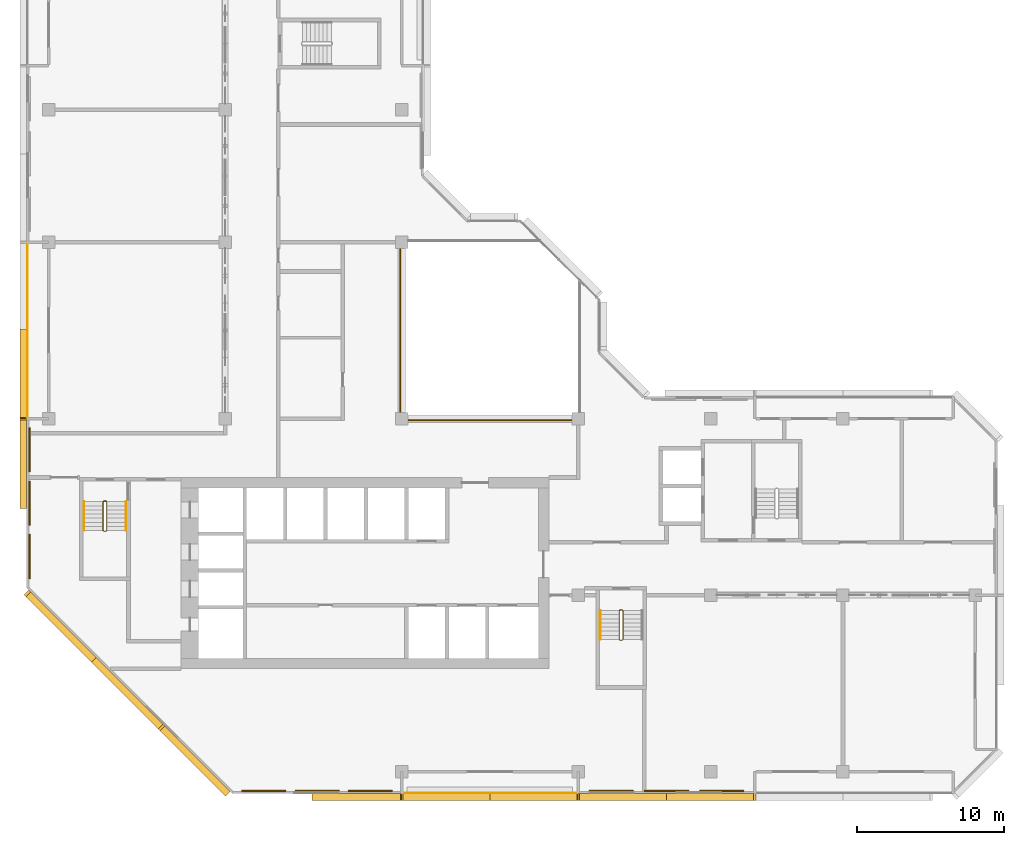
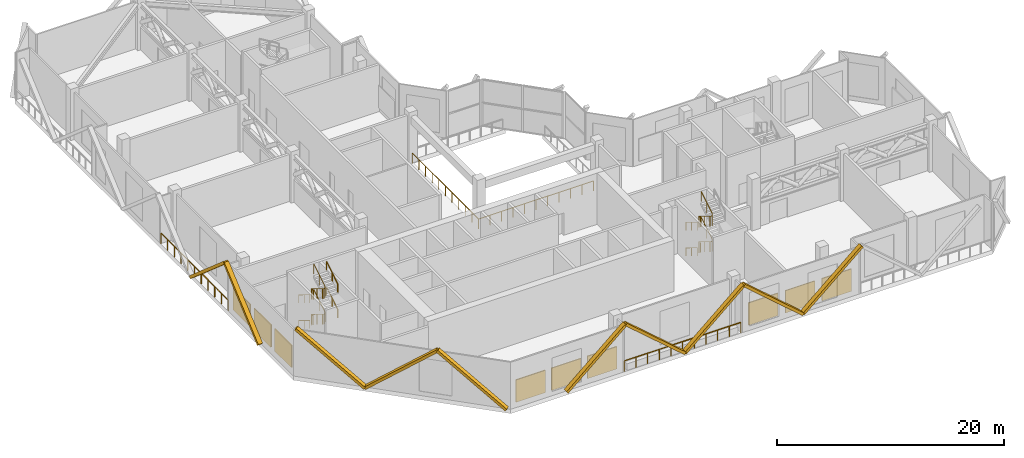
# One storey, part 12 of 14: 11 railings, 10 coverings, 9 shading devices.
"""IFC4 building model written with IfcOpenShell, lengths in metres."""

import ifcopenshell
import ifcopenshell.guid

model = None  # the IFC model being written
_history = None  # IfcOwnerHistory: only IFC2X3 demands one
_inside = {}  # id of a spatial element -> (the spatial element, [elements in it])
_under = {}  # id of a project, library or spatial element -> (it, [spatial elements below it])
_declared = {}  # id of a project -> (the project, [libraries it declares])
_typed = {}  # id of a type object -> (the type object, [elements of that type])
_made_of = {}  # id of a material, layer set ... -> (it, [elements and type objects made of it])


def new_model(schema):
    """Start an empty IFC model of exactly this schema.

    Asked for "IFC4X3", IfcOpenShell would pick the latest addendum, in which some entities
    have other attributes; the version numbers below select the first issue.
    IFC2X3 requires an IfcOwnerHistory on every rooted entity: one is made here for all.
    """
    global model, _history
    if schema == "IFC4X3":
        model = ifcopenshell.file(schema_version=(4, 3, 0, 0))
    else:
        model = ifcopenshell.file(schema=schema)
    _inside.clear()
    _under.clear()
    _declared.clear()
    _typed.clear()
    _made_of.clear()
    _history = None
    if model.schema == "IFC2X3":
        org = make("IfcOrganization", Name="unknown")
        user = make(
            "IfcPersonAndOrganization",
            ThePerson=make("IfcPerson", FamilyName="unknown"),
            TheOrganization=org,
        )
        app = make(
            "IfcApplication",
            ApplicationDeveloper=org,
            Version="unknown",
            ApplicationFullName="unknown",
            ApplicationIdentifier="unknown",
        )
        _history = make(
            "IfcOwnerHistory",
            OwningUser=user,
            OwningApplication=app,
            ChangeAction="ADDED",
            CreationDate=0,
        )
    return model


def make(cls, **values):
    """One entity of the class cls with the attributes given. An attribute that is None is left unset."""
    return model.create_entity(
        cls, **{name: value for name, value in values.items() if value is not None}
    )


def rooted(cls, **values):
    """An entity with a GlobalId (a new one), such as an element, a storey or a relation."""
    return make(cls, GlobalId=ifcopenshell.guid.new(), OwnerHistory=_history, **values)


def si_unit(unit_type, name, prefix=None):
    """IfcSIUnit, for example si_unit("LENGTHUNIT", "METRE", prefix="MILLI")."""
    return make("IfcSIUnit", UnitType=unit_type, Prefix=prefix, Name=name)


def assignment(units):
    """IfcUnitAssignment: the units of a project."""
    return None if units is None else make("IfcUnitAssignment", Units=units)


def point(xyz):
    """IfcCartesianPoint."""
    return None if xyz is None else make("IfcCartesianPoint", Coordinates=xyz)


def direction(xyz):
    """IfcDirection."""
    return None if xyz is None else make("IfcDirection", DirectionRatios=xyz)


def frame(location, z_axis=None, x_axis=None):
    """IfcAxis2Placement3D, a coordinate frame: its origin and axes. An axis left out is left unset."""
    return make(
        "IfcAxis2Placement3D",
        Location=point(location),
        Axis=direction(z_axis),
        RefDirection=direction(x_axis),
    )


def frame_2d(location, x_axis=None):
    """IfcAxis2Placement2D, a coordinate frame in the plane: its origin and x axis."""
    return make(
        "IfcAxis2Placement2D", Location=point(location), RefDirection=direction(x_axis)
    )


def origin():
    """The frame at (0, 0, 0) with its axes left unset."""
    return frame((0.0, 0.0, 0.0))


def origin_2d():
    """The frame at (0, 0) in the plane with its x axis left unset."""
    return frame_2d((0.0, 0.0))


def place(relative_to, where):
    """IfcLocalPlacement: puts the frame where relative to a parent placement (None: the world)."""
    return make(
        "IfcLocalPlacement", PlacementRelTo=relative_to, RelativePlacement=where
    )


def context(
    kind, dimensions, precision=None, world=None, true_north=None, identifier=None
):
    """IfcGeometricRepresentationContext, for example the 3D "Model" context."""
    return make(
        "IfcGeometricRepresentationContext",
        ContextIdentifier=identifier,
        ContextType=kind,
        CoordinateSpaceDimension=dimensions,
        Precision=precision,
        WorldCoordinateSystem=world,
        TrueNorth=true_north,
    )


def subcontext(parent, identifier, kind, view, scale=None):
    """IfcGeometricRepresentationSubContext, for example "Body" below "Model"."""
    return make(
        "IfcGeometricRepresentationSubContext",
        ContextIdentifier=identifier,
        ContextType=kind,
        ParentContext=parent,
        TargetScale=scale,
        TargetView=view,
    )


def project(units=None, contexts=None):
    """IfcProject with its units and contexts."""
    return rooted(
        "IfcProject",
        Name="project",
        RepresentationContexts=contexts,
        UnitsInContext=assignment(units),
    )


def spatial(cls, under=None, at=None, **own):
    """A site, building, storey or space (cls), placed at a placement, below another one or the project."""
    s = rooted(cls, ObjectPlacement=at, **own)
    if under is not None:
        _under.setdefault(under.id(), (under, []))[1].append(s)
    return s


def profile(cls, at=None, kind="AREA", **sizes):
    """A parametric profile (cls). Its sizes go by their IFC names, for example OverallWidth=200.0."""
    return make(cls, ProfileType=kind, Position=at, **sizes)


def rectangle(**sizes):
    """IfcRectangleProfileDef."""
    return profile("IfcRectangleProfileDef", **sizes)


def extrude(swept, where, along, depth):
    """IfcExtrudedAreaSolid: the profile swept, set in the frame where, extruded along a direction by depth."""
    return make(
        "IfcExtrudedAreaSolid",
        SweptArea=swept,
        Position=where,
        ExtrudedDirection=direction(along),
        Depth=depth,
    )


def shape(context_of_items, identifier, shape_type, items):
    """IfcShapeRepresentation: the items that make up one representation, for example the "Body"."""
    return make(
        "IfcShapeRepresentation",
        ContextOfItems=context_of_items,
        RepresentationIdentifier=identifier,
        RepresentationType=shape_type,
        Items=items,
    )


def material(Name=None, Category=None):
    """IfcMaterial."""
    return make("IfcMaterial", Name=Name, Category=Category)


def material_profile(
    of_material, cross_section, Name=None, Category=None, Priority=None
):
    """IfcMaterialProfile: a cross section and its material."""
    return make(
        "IfcMaterialProfile",
        Name=Name,
        Material=of_material,
        Profile=cross_section,
        Priority=Priority,
        Category=Category,
    )


def profile_set(profiles, Name=None, composite=None):
    """IfcMaterialProfileSet."""
    return make(
        "IfcMaterialProfileSet",
        Name=Name,
        MaterialProfiles=profiles,
        CompositeProfile=composite,
    )


def made_of(thing, what):
    """Note that an element or type object is made of a material, layer set ...; save() writes the relation."""
    if what is not None:
        _made_of.setdefault(what.id(), (what, []))[1].append(thing)
    return thing


def type_object(cls, material=None, **own):
    """A type object (cls), such as IfcWallType, which elements share."""
    return made_of(rooted(cls, **own), material)


def element(
    cls,
    number,
    at=None,
    inside=None,
    cuts=None,
    type_object=None,
    material=None,
    context=None,
    identifier="Body",
    shape_type=None,
    held_by="IfcProductDefinitionShape",
    body=None,
    shapes=None,
    **own,
):
    """One element of the class cls, such as IfcWall. Its Tag is "e" and its number.

    at: its placement. inside: the storey or other place that contains it. cuts: it is an
    opening in that element (IfcRelVoidsElement). A single representation is given by context,
    identifier, shape_type and body (its items); several are given by shapes. held_by: the class
    of the entity that holds the representations. save() writes the other relations.
    """
    e = rooted(cls, Tag="e%d" % number, ObjectPlacement=at, **own)
    if body is not None:
        shapes = [shape(context, identifier, shape_type, body)]
    if shapes is not None:
        e.Representation = make(held_by, Representations=shapes)
    if inside is not None:
        _inside.setdefault(inside.id(), (inside, []))[1].append(e)
    if cuts is not None:
        rooted(
            "IfcRelVoidsElement", RelatingBuildingElement=cuts, RelatedOpeningElement=e
        )
    if type_object is not None:
        _typed.setdefault(type_object.id(), (type_object, []))[1].append(e)
    return made_of(e, material)


def aggregate(whole, parts):
    """IfcRelAggregates: a whole, such as a stair, and the parts it consists of."""
    return rooted("IfcRelAggregates", RelatingObject=whole, RelatedObjects=parts)


def save(model, path):
    """Write the relations noted so far, then the file.

    IfcRelAggregates (storeys below a building ...), IfcRelContainedInSpatialStructure (elements
    in a storey), IfcRelDefinesByType, IfcRelAssociatesMaterial and IfcRelDeclares: one each for
    every whole, place, type object, material and project.
    """
    for whole, parts in _under.values():
        aggregate(whole, parts)
    for where, things in _inside.values():
        rooted(
            "IfcRelContainedInSpatialStructure",
            RelatedElements=things,
            RelatingStructure=where,
        )
    for kind, things in _typed.values():
        rooted("IfcRelDefinesByType", RelatedObjects=things, RelatingType=kind)
    for what, things in _made_of.values():
        rooted("IfcRelAssociatesMaterial", RelatedObjects=things, RelatingMaterial=what)
    for by, libraries in _declared.values():
        rooted("IfcRelDeclares", RelatingContext=by, RelatedDefinitions=libraries)
    model.write(path)


model = new_model("IFC4")

# Units and contexts
model_context = context("Model", 3, precision=1e-05, world=origin(), true_north=direction((0.0, 1.0)))
body_context = subcontext(model_context, "Body", "Model", "MODEL_VIEW")
ifc_project = project(units=[si_unit("LENGTHUNIT", "METRE"), si_unit("AREAUNIT", "SQUARE_METRE"), si_unit("VOLUMEUNIT", "CUBIC_METRE"), si_unit("PLANEANGLEUNIT", "RADIAN"), si_unit("MASSUNIT", "GRAM", prefix="KILO")], contexts=[model_context])

# Site, building, storey
site_placement = place(None, origin())
site = spatial("IfcSite", under=ifc_project, at=site_placement, CompositionType="ELEMENT")
building_placement = place(site_placement, origin())
building = spatial("IfcBuilding", under=site, at=building_placement, Name="Chenar Terraces", CompositionType="ELEMENT")
storey_placement = place(building_placement, frame((0.0, 0.0, 256.64990234375)))
storey = spatial("IfcBuildingStorey", under=building, at=storey_placement, Name="L61", CompositionType="ELEMENT", Elevation=256.64990234375)

# Railings
ifc_material_1 = material(Name="Powder-coated steel", Category="steel")
railing_type_1 = type_object("IfcRailingType", Name="Guard 1100 steel rail with glass infill", PredefinedType="GUARDRAIL", material=ifc_material_1)
railing_1_placement = place(storey_placement, frame((23.89990234375, 35.574951171875, 0.0)))
element("IfcRailing", 1, at=railing_1_placement, inside=storey, type_object=railing_type_1, Name="Guard L61-1", PredefinedType="GUARDRAIL", context=body_context, shape_type="SweptSolid", body=[
    extrude(rectangle(XDim=0.06005859375, YDim=0.06005859375, at=origin_2d()), frame((0.0, 0.0, 1.070068359375), z_axis=(0.0, -1.0, 0.0), x_axis=(1.0, 0.0, 0.0)), (0.0, 0.0, 1.0), 11.675048828125),
    extrude(rectangle(XDim=0.06005859375, YDim=0.06005859375, at=origin_2d()), frame((0.0, -11.675048828125, 1.070068359375), z_axis=(1.0, 0.0, 0.0), x_axis=(0.0, 1.0, 0.0)), (0.0, 0.0, 1.0), 11.675048828125),
    extrude(rectangle(XDim=0.050048828125, YDim=0.050048828125, at=origin_2d()), origin(), (0.0, 0.0, 1.0), 1.0400390625),
    extrude(rectangle(XDim=0.050048828125, YDim=0.050048828125, at=origin_2d()), frame((0.0, -1.16748046875, 0.0)), (0.0, 0.0, 1.0), 1.0400390625),
    extrude(rectangle(XDim=0.050048828125, YDim=0.050048828125, at=origin_2d()), frame((0.0, -2.3349609375, 0.0)), (0.0, 0.0, 1.0), 1.0400390625),
    extrude(rectangle(XDim=0.050048828125, YDim=0.050048828125, at=origin_2d()), frame((0.0, -3.50244140625, 0.0)), (0.0, 0.0, 1.0), 1.0400390625),
    extrude(rectangle(XDim=0.050048828125, YDim=0.050048828125, at=origin_2d()), frame((0.0, -4.669921875, 0.0)), (0.0, 0.0, 1.0), 1.0400390625),
    extrude(rectangle(XDim=0.050048828125, YDim=0.050048828125, at=origin_2d()), frame((0.0, -5.83740234375, 0.0)), (0.0, 0.0, 1.0), 1.0400390625),
    extrude(rectangle(XDim=0.050048828125, YDim=0.050048828125, at=origin_2d()), frame((0.0, -7.005126953125, 0.0)), (0.0, 0.0, 1.0), 1.0400390625),
    extrude(rectangle(XDim=0.050048828125, YDim=0.050048828125, at=origin_2d()), frame((0.0, -8.172607421875, 0.0)), (0.0, 0.0, 1.0), 1.0400390625),
    extrude(rectangle(XDim=0.050048828125, YDim=0.050048828125, at=origin_2d()), frame((0.0, -9.340087890625, 0.0)), (0.0, 0.0, 1.0), 1.0400390625),
    extrude(rectangle(XDim=0.050048828125, YDim=0.050048828125, at=origin_2d()), frame((0.0, -10.507568359375, 0.0)), (0.0, 0.0, 1.0), 1.0400390625),
    extrude(rectangle(XDim=0.050048828125, YDim=0.050048828125, at=origin_2d()), frame((0.0, -11.675048828125, 0.0)), (0.0, 0.0, 1.0), 1.0400390625),
    extrude(rectangle(XDim=0.050048828125, YDim=0.050048828125, at=origin_2d()), frame((1.16748046875, -11.675048828125, 0.0)), (0.0, 0.0, 1.0), 1.0400390625),
    extrude(rectangle(XDim=0.050048828125, YDim=0.050048828125, at=origin_2d()), frame((2.3349609375, -11.675048828125, 0.0)), (0.0, 0.0, 1.0), 1.0400390625),
    extrude(rectangle(XDim=0.050048828125, YDim=0.050048828125, at=origin_2d()), frame((3.50244140625, -11.675048828125, 0.0)), (0.0, 0.0, 1.0), 1.0400390625),
    extrude(rectangle(XDim=0.050048828125, YDim=0.050048828125, at=origin_2d()), frame((4.669921875, -11.675048828125, 0.0)), (0.0, 0.0, 1.0), 1.0400390625),
    extrude(rectangle(XDim=0.050048828125, YDim=0.050048828125, at=origin_2d()), frame((5.83740234375, -11.675048828125, 0.0)), (0.0, 0.0, 1.0), 1.0400390625),
    extrude(rectangle(XDim=0.050048828125, YDim=0.050048828125, at=origin_2d()), frame((7.005126953125, -11.675048828125, 0.0)), (0.0, 0.0, 1.0), 1.0400390625),
    extrude(rectangle(XDim=0.050048828125, YDim=0.050048828125, at=origin_2d()), frame((8.172607421875, -11.675048828125, 0.0)), (0.0, 0.0, 1.0), 1.0400390625),
    extrude(rectangle(XDim=0.050048828125, YDim=0.050048828125, at=origin_2d()), frame((9.340087890625, -11.675048828125, 0.0)), (0.0, 0.0, 1.0), 1.0400390625),
    extrude(rectangle(XDim=0.050048828125, YDim=0.050048828125, at=origin_2d()), frame((10.507568359375, -11.675048828125, 0.0)), (0.0, 0.0, 1.0), 1.0400390625),
    extrude(rectangle(XDim=0.050048828125, YDim=0.050048828125, at=origin_2d()), frame((11.675048828125, -11.675048828125, 0.0)), (0.0, 0.0, 1.0), 1.0400390625),
])
ifc_material_2 = material(Name="Stainless steel and glass", Category="steel")
railing_type_2 = type_object("IfcRailingType", Name="Loggia guard 1150", PredefinedType="GUARDRAIL", material=ifc_material_2)
railing_2_placement = place(storey_placement, frame((24.074951171875, -1.449951171875, 0.0)))
element("IfcRailing", 2, at=railing_2_placement, inside=storey, type_object=railing_type_2, Name="Loggia guard", PredefinedType="GUARDRAIL", context=body_context, shape_type="SweptSolid", body=[
    extrude(rectangle(XDim=0.048095703125, YDim=0.048095703125, at=origin_2d()), frame((0.0, 0.0, 1.1259765625), z_axis=(1.0, 0.0, 0.0), x_axis=(0.0, 1.0, 0.0)), (0.0, 0.0, 1.0), 11.85009765625),
    extrude(rectangle(XDim=0.0419921875, YDim=0.0419921875, at=origin_2d()), origin(), (0.0, 0.0, 1.0), 1.101806640625),
    extrude(rectangle(XDim=0.0419921875, YDim=0.0419921875, at=origin_2d()), frame((1.18505859375, 0.0, 0.0)), (0.0, 0.0, 1.0), 1.101806640625),
    extrude(rectangle(XDim=0.0419921875, YDim=0.0419921875, at=origin_2d()), frame((2.3701171875, 0.0, 0.0)), (0.0, 0.0, 1.0), 1.101806640625),
    extrude(rectangle(XDim=0.0419921875, YDim=0.0419921875, at=origin_2d()), frame((3.554931640625, 0.0, 0.0)), (0.0, 0.0, 1.0), 1.101806640625),
    extrude(rectangle(XDim=0.0419921875, YDim=0.0419921875, at=origin_2d()), frame((4.739990234375, 0.0, 0.0)), (0.0, 0.0, 1.0), 1.101806640625),
    extrude(rectangle(XDim=0.0419921875, YDim=0.0419921875, at=origin_2d()), frame((5.925048828125, 0.0, 0.0)), (0.0, 0.0, 1.0), 1.101806640625),
    extrude(rectangle(XDim=0.0419921875, YDim=0.0419921875, at=origin_2d()), frame((7.110107421875, 0.0, 0.0)), (0.0, 0.0, 1.0), 1.101806640625),
    extrude(rectangle(XDim=0.0419921875, YDim=0.0419921875, at=origin_2d()), frame((8.295166015625, 0.0, 0.0)), (0.0, 0.0, 1.0), 1.101806640625),
    extrude(rectangle(XDim=0.0419921875, YDim=0.0419921875, at=origin_2d()), frame((9.47998046875, 0.0, 0.0)), (0.0, 0.0, 1.0), 1.101806640625),
    extrude(rectangle(XDim=0.0419921875, YDim=0.0419921875, at=origin_2d()), frame((10.6650390625, 0.0, 0.0)), (0.0, 0.0, 1.0), 1.101806640625),
    extrude(rectangle(XDim=0.0419921875, YDim=0.0419921875, at=origin_2d()), frame((11.85009765625, 0.0, 0.0)), (0.0, 0.0, 1.0), 1.101806640625),
])
railing_3_placement = place(storey_placement, frame((-1.449951171875, 35.925048828125, 0.0)))
element("IfcRailing", 3, at=railing_3_placement, inside=storey, type_object=railing_type_2, Name="Loggia guard", PredefinedType="GUARDRAIL", context=body_context, shape_type="SweptSolid", body=[
    extrude(rectangle(XDim=0.048095703125, YDim=0.048095703125, at=origin_2d()), frame((0.0, 0.0, 1.1259765625), z_axis=(0.0, -1.0, 0.0), x_axis=(1.0, 0.0, 0.0)), (0.0, 0.0, 1.0), 11.85009765625),
    extrude(rectangle(XDim=0.0419921875, YDim=0.0419921875, at=origin_2d()), origin(), (0.0, 0.0, 1.0), 1.101806640625),
    extrude(rectangle(XDim=0.0419921875, YDim=0.0419921875, at=origin_2d()), frame((0.0, -1.18505859375, 0.0)), (0.0, 0.0, 1.0), 1.101806640625),
    extrude(rectangle(XDim=0.0419921875, YDim=0.0419921875, at=origin_2d()), frame((0.0, -2.3701171875, 0.0)), (0.0, 0.0, 1.0), 1.101806640625),
    extrude(rectangle(XDim=0.0419921875, YDim=0.0419921875, at=origin_2d()), frame((0.0, -3.554931640625, 0.0)), (0.0, 0.0, 1.0), 1.101806640625),
    extrude(rectangle(XDim=0.0419921875, YDim=0.0419921875, at=origin_2d()), frame((0.0, -4.739990234375, 0.0)), (0.0, 0.0, 1.0), 1.101806640625),
    extrude(rectangle(XDim=0.0419921875, YDim=0.0419921875, at=origin_2d()), frame((0.0, -5.925048828125, 0.0)), (0.0, 0.0, 1.0), 1.101806640625),
    extrude(rectangle(XDim=0.0419921875, YDim=0.0419921875, at=origin_2d()), frame((0.0, -7.110107421875, 0.0)), (0.0, 0.0, 1.0), 1.101806640625),
    extrude(rectangle(XDim=0.0419921875, YDim=0.0419921875, at=origin_2d()), frame((0.0, -8.295166015625, 0.0)), (0.0, 0.0, 1.0), 1.101806640625),
    extrude(rectangle(XDim=0.0419921875, YDim=0.0419921875, at=origin_2d()), frame((0.0, -9.47998046875, 0.0)), (0.0, 0.0, 1.0), 1.101806640625),
    extrude(rectangle(XDim=0.0419921875, YDim=0.0419921875, at=origin_2d()), frame((0.0, -10.6650390625, 0.0)), (0.0, 0.0, 1.0), 1.101806640625),
    extrude(rectangle(XDim=0.0419921875, YDim=0.0419921875, at=origin_2d()), frame((0.0, -11.85009765625, 0.0)), (0.0, 0.0, 1.0), 1.101806640625),
])

# Shading devices
ifc_material_3 = material(Name="Powder-coated steel", Category="steel")
shading_device_type = type_object("IfcShadingDeviceType", Name="Sand-proof louvre bank 3000 x 2400", PredefinedType="USERDEFINED", material=ifc_material_3)
for number, where, z_axis, x_axis, name in (
    (4, (14.625, -1.300048828125, 0.4501953125), (0.0, 0.0, 1.0), (1.0, 0.0, 0.0), "Sand-proof louvre bank"),
    (5, (18.25, -1.300048828125, 0.4501953125), (0.0, 0.0, 1.0), (1.0, 0.0, 0.0), "Sand-proof louvre bank"),
    (6, (21.875, -1.300048828125, 0.4501953125), (0.0, 0.0, 1.0), (1.0, 0.0, 0.0), "Sand-proof louvre bank"),
    (7, (38.25, -1.300048828125, 0.4501953125), (0.0, 0.0, 1.0), (1.0, 0.0, 0.0), "Sand-proof louvre bank"),
    (8, (42.0, -1.300048828125, 0.4501953125), (0.0, 0.0, 1.0), (1.0, 0.0, 0.0), "Sand-proof louvre bank"),
    (9, (45.75, -1.300048828125, 0.4501953125), (0.0, 0.0, 1.0), (1.0, 0.0, 0.0), "Sand-proof louvre bank"),
    (10, (-1.300048828125, 21.875, 0.4501953125), (0.0, 0.0, 1.0), (0.0, -1.0, 0.0), "Sand-proof louvre bank"),
    (11, (-1.300048828125, 18.25, 0.4501953125), (0.0, 0.0, 1.0), (0.0, -1.0, 0.0), "Sand-proof louvre bank"),
    (12, (-1.300048828125, 14.625, 0.4501953125), (0.0, 0.0, 1.0), (0.0, -1.0, 0.0), "Sand-proof louvre bank"),
):
    element("IfcShadingDevice", number, at=place(storey_placement, frame(where, z_axis=z_axis, x_axis=x_axis)), inside=storey, type_object=shading_device_type, Name=name, ObjectType="LOUVRE", PredefinedType="USERDEFINED", context=body_context, shape_type="SweptSolid", body=[
        extrude(rectangle(XDim=3.0, YDim=0.10009765625, at=origin_2d()), origin(), (0.0, 0.0, 1.0), 2.39990234375),
    ])

# Railings
ifc_material_4 = material(Name="Powder-coated steel", Category="steel")
railing_type_3 = type_object("IfcRailingType", Name="Stair guard 1100", PredefinedType="GUARDRAIL", material=ifc_material_4)
railing_4_placement = place(storey_placement, frame((3.949951171875, 18.35009765625, 5.5)))
element("IfcRailing", 13, at=railing_4_placement, inside=storey, type_object=railing_type_3, Name="L61 ST1 stair guard 1", PredefinedType="GUARDRAIL", context=body_context, shape_type="SweptSolid", body=[
    extrude(rectangle(XDim=0.048095703125, YDim=0.048095703125, at=origin_2d()), frame((0.0, 0.0, 1.076171875), z_axis=(0.0, -0.852270028233, -0.523102092307), x_axis=(1.0, 0.0, 0.0)), (0.0, 0.0, 1.0), 2.300048828125),
    extrude(rectangle(XDim=0.048095703125, YDim=0.048095703125, at=origin_2d()), frame((0.0, -1.960205078125, -0.126953125), z_axis=(-0.26935076646, -0.268036860282, -0.924989949209), x_axis=(0.705375805398, -0.708833529934, 0.0)), (0.0, 0.0, 1.0), 0.185791015625),
    extrude(rectangle(XDim=0.048095703125, YDim=0.048095703125, at=origin_2d()), frame((-0.050048828125, -2.010009765625, -0.298828125), z_axis=(-1.0, 0.0, 0.0), x_axis=(0.0, -1.0, 0.0)), (0.0, 0.0, 1.0), 0.14990234375),
    extrude(rectangle(XDim=0.048095703125, YDim=0.048095703125, at=origin_2d()), frame((-0.199951171875, -2.010009765625, -0.298828125), z_axis=(-0.708833529934, 0.705375805398, 0.0), x_axis=(-0.705375805398, -0.708833529934, 0.0)), (0.0, 0.0, 1.0), 0.070556640625),
    extrude(rectangle(XDim=0.048095703125, YDim=0.048095703125, at=origin_2d()), frame((-0.25, -1.960205078125, -0.298828125), z_axis=(0.0, 0.852270028233, -0.523102092307), x_axis=(-1.0, 0.0, 0.0)), (0.0, 0.0, 1.0), 2.300048828125),
    extrude(rectangle(XDim=0.048095703125, YDim=0.048095703125, at=origin_2d()), frame((-0.25, 0.0, -1.501953125), z_axis=(0.745163704225, 0.185608541712, -0.640531438064), x_axis=(-0.241699205484, 0.970351222016, 0.0)), (0.0, 0.0, 1.0), 0.268310546875),
    extrude(rectangle(XDim=0.048095703125, YDim=0.048095703125, at=origin_2d()), frame((-0.050048828125, 0.0498046875, -1.673828125), z_axis=(-1.0, 0.0, 0.0), x_axis=(0.0, -1.0, 0.0)), (0.0, 0.0, 1.0), 0.14990234375),
    extrude(rectangle(XDim=0.048095703125, YDim=0.048095703125, at=origin_2d()), frame((-0.199951171875, 0.0498046875, -1.673828125), z_axis=(0.970351222016, -0.241699205484, 0.0), x_axis=(0.241699205484, 0.970351222016, 0.0)), (0.0, 0.0, 1.0), 0.2060546875),
    extrude(rectangle(XDim=0.048095703125, YDim=0.048095703125, at=origin_2d()), frame((0.0, 0.0, -1.673828125), z_axis=(0.0, -0.852270028233, -0.523102092307), x_axis=(1.0, 0.0, 0.0)), (0.0, 0.0, 1.0), 2.300048828125),
    extrude(rectangle(XDim=0.048095703125, YDim=0.048095703125, at=origin_2d()), frame((0.0, -1.960205078125, -2.876953125), z_axis=(-0.26935076646, -0.268036860282, -0.924989949209), x_axis=(0.705375805398, -0.708833529934, 0.0)), (0.0, 0.0, 1.0), 0.185791015625),
    extrude(rectangle(XDim=0.048095703125, YDim=0.048095703125, at=origin_2d()), frame((-0.050048828125, -2.010009765625, -3.048828125), z_axis=(-1.0, 0.0, 0.0), x_axis=(0.0, -1.0, 0.0)), (0.0, 0.0, 1.0), 0.14990234375),
    extrude(rectangle(XDim=0.048095703125, YDim=0.048095703125, at=origin_2d()), frame((-0.199951171875, -2.010009765625, -3.048828125), z_axis=(-0.708833529934, 0.705375805398, 0.0), x_axis=(-0.705375805398, -0.708833529934, 0.0)), (0.0, 0.0, 1.0), 0.070556640625),
    extrude(rectangle(XDim=0.048095703125, YDim=0.048095703125, at=origin_2d()), frame((-0.25, -1.960205078125, -3.048828125), z_axis=(0.0, 0.852270028233, -0.523102092307), x_axis=(-1.0, 0.0, 0.0)), (0.0, 0.0, 1.0), 2.300048828125),
    extrude(rectangle(XDim=0.048095703125, YDim=0.048095703125, at=origin_2d()), frame((-0.25, 0.0, -4.251953125), z_axis=(0.26935076646, 0.268036860282, -0.924989949209), x_axis=(-0.705375805398, 0.708833529934, 0.0)), (0.0, 0.0, 1.0), 0.185791015625),
    extrude(rectangle(XDim=0.048095703125, YDim=0.048095703125, at=origin_2d()), frame((-0.199951171875, 0.0498046875, -4.423828125), z_axis=(1.0, 0.0, 0.0), x_axis=(0.0, 1.0, 0.0)), (0.0, 0.0, 1.0), 0.14990234375),
    extrude(rectangle(XDim=0.0419921875, YDim=0.0419921875, at=origin_2d()), origin(), (0.0, 0.0, 1.0), 1.052001953125),
    extrude(rectangle(XDim=0.0419921875, YDim=0.0419921875, at=origin_2d()), frame((0.0, -0.97998046875, -0.6015625)), (0.0, 0.0, 1.0), 1.052001953125),
    extrude(rectangle(XDim=0.0419921875, YDim=0.0419921875, at=origin_2d()), frame((0.0, -1.960205078125, -1.203125)), (0.0, 0.0, 1.0), 1.052001953125),
    extrude(rectangle(XDim=0.0419921875, YDim=0.0419921875, at=origin_2d()), frame((-0.050048828125, -2.010009765625, -1.375)), (0.0, 0.0, 1.0), 1.052001953125),
    extrude(rectangle(XDim=0.0419921875, YDim=0.0419921875, at=origin_2d()), frame((-0.199951171875, -2.010009765625, -1.375)), (0.0, 0.0, 1.0), 1.052001953125),
    extrude(rectangle(XDim=0.0419921875, YDim=0.0419921875, at=origin_2d()), frame((-0.25, -1.960205078125, -1.375)), (0.0, 0.0, 1.0), 1.052001953125),
    extrude(rectangle(XDim=0.0419921875, YDim=0.0419921875, at=origin_2d()), frame((-0.25, -0.97998046875, -1.9765625)), (0.0, 0.0, 1.0), 1.052001953125),
    extrude(rectangle(XDim=0.0419921875, YDim=0.0419921875, at=origin_2d()), frame((-0.25, 0.0, -2.578125)), (0.0, 0.0, 1.0), 1.052001953125),
    extrude(rectangle(XDim=0.0419921875, YDim=0.0419921875, at=origin_2d()), frame((-0.050048828125, 0.0498046875, -2.75)), (0.0, 0.0, 1.0), 1.052001953125),
    extrude(rectangle(XDim=0.0419921875, YDim=0.0419921875, at=origin_2d()), frame((-0.199951171875, 0.0498046875, -2.75)), (0.0, 0.0, 1.0), 1.052001953125),
    extrude(rectangle(XDim=0.0419921875, YDim=0.0419921875, at=origin_2d()), frame((0.0, 0.0, -2.75)), (0.0, 0.0, 1.0), 1.052001953125),
    extrude(rectangle(XDim=0.0419921875, YDim=0.0419921875, at=origin_2d()), frame((0.0, -0.97998046875, -3.3515625)), (0.0, 0.0, 1.0), 1.052001953125),
    extrude(rectangle(XDim=0.0419921875, YDim=0.0419921875, at=origin_2d()), frame((0.0, -1.960205078125, -3.953125)), (0.0, 0.0, 1.0), 1.052001953125),
    extrude(rectangle(XDim=0.0419921875, YDim=0.0419921875, at=origin_2d()), frame((-0.050048828125, -2.010009765625, -4.125)), (0.0, 0.0, 1.0), 1.052001953125),
    extrude(rectangle(XDim=0.0419921875, YDim=0.0419921875, at=origin_2d()), frame((-0.199951171875, -2.010009765625, -4.125)), (0.0, 0.0, 1.0), 1.052001953125),
    extrude(rectangle(XDim=0.0419921875, YDim=0.0419921875, at=origin_2d()), frame((-0.25, -1.960205078125, -4.125)), (0.0, 0.0, 1.0), 1.052001953125),
    extrude(rectangle(XDim=0.0419921875, YDim=0.0419921875, at=origin_2d()), frame((-0.25, -0.97998046875, -4.7265625)), (0.0, 0.0, 1.0), 1.052001953125),
    extrude(rectangle(XDim=0.0419921875, YDim=0.0419921875, at=origin_2d()), frame((-0.25, 0.0, -5.328125)), (0.0, 0.0, 1.0), 1.052001953125),
    extrude(rectangle(XDim=0.0419921875, YDim=0.0419921875, at=origin_2d()), frame((-0.199951171875, 0.0498046875, -5.5)), (0.0, 0.0, 1.0), 1.052001953125),
    extrude(rectangle(XDim=0.0419921875, YDim=0.0419921875, at=origin_2d()), frame((-0.050048828125, 0.0498046875, -5.5)), (0.0, 0.0, 1.0), 1.052001953125),
])
railing_5_placement = place(storey_placement, frame((39.050048828125, 10.949951171875, 5.5)))
element("IfcRailing", 14, at=railing_5_placement, inside=storey, type_object=railing_type_3, Name="L61 ST2 stair guard 1", PredefinedType="GUARDRAIL", context=body_context, shape_type="SweptSolid", body=[
    extrude(rectangle(XDim=0.048095703125, YDim=0.048095703125, at=origin_2d()), frame((0.0, 0.0, 1.076171875), z_axis=(0.0, -0.852240978134, -0.523149419562), x_axis=(1.0, 0.0, 0.0)), (0.0, 0.0, 1.0), 2.2998046875),
    extrude(rectangle(XDim=0.048095703125, YDim=0.048095703125, at=origin_2d()), frame((0.0, -1.9599609375, -0.126953125), z_axis=(-0.269255725606, -0.269255725606, -0.92466356501), x_axis=(0.707106781187, -0.707106781187, 0.0)), (0.0, 0.0, 1.0), 0.185791015625),
    extrude(rectangle(XDim=0.048095703125, YDim=0.048095703125, at=origin_2d()), frame((-0.050048828125, -2.010009765625, -0.298828125), z_axis=(-1.0, 0.0, 0.0), x_axis=(0.0, -1.0, 0.0)), (0.0, 0.0, 1.0), 0.14990234375),
    extrude(rectangle(XDim=0.048095703125, YDim=0.048095703125, at=origin_2d()), frame((-0.199951171875, -2.010009765625, -0.298828125), z_axis=(-0.707106781187, 0.707106781187, 0.0), x_axis=(-0.707106781187, -0.707106781187, 0.0)), (0.0, 0.0, 1.0), 0.07080078125),
    extrude(rectangle(XDim=0.048095703125, YDim=0.048095703125, at=origin_2d()), frame((-0.25, -1.9599609375, -0.298828125), z_axis=(0.0, 0.852240978134, -0.523149419562), x_axis=(-1.0, 0.0, 0.0)), (0.0, 0.0, 1.0), 2.2998046875),
    extrude(rectangle(XDim=0.048095703125, YDim=0.048095703125, at=origin_2d()), frame((-0.25, 0.0, -1.501953125), z_axis=(0.745037588186, 0.186486819998, -0.640423030626), x_axis=(-0.242814311512, 0.970072785993, 0.0)), (0.0, 0.0, 1.0), 0.268310546875),
    extrude(rectangle(XDim=0.048095703125, YDim=0.048095703125, at=origin_2d()), frame((-0.050048828125, 0.050048828125, -1.673828125), z_axis=(-1.0, 0.0, 0.0), x_axis=(0.0, -1.0, 0.0)), (0.0, 0.0, 1.0), 0.14990234375),
    extrude(rectangle(XDim=0.048095703125, YDim=0.048095703125, at=origin_2d()), frame((-0.199951171875, 0.050048828125, -1.673828125), z_axis=(0.970072785993, -0.242814311512, 0.0), x_axis=(0.242814311512, 0.970072785993, 0.0)), (0.0, 0.0, 1.0), 0.2060546875),
    extrude(rectangle(XDim=0.048095703125, YDim=0.048095703125, at=origin_2d()), frame((0.0, 0.0, -1.673828125), z_axis=(0.0, -0.852240978134, -0.523149419562), x_axis=(1.0, 0.0, 0.0)), (0.0, 0.0, 1.0), 2.2998046875),
    extrude(rectangle(XDim=0.048095703125, YDim=0.048095703125, at=origin_2d()), frame((0.0, -1.9599609375, -2.876953125), z_axis=(-0.269255725606, -0.269255725606, -0.92466356501), x_axis=(0.707106781187, -0.707106781187, 0.0)), (0.0, 0.0, 1.0), 0.185791015625),
    extrude(rectangle(XDim=0.048095703125, YDim=0.048095703125, at=origin_2d()), frame((-0.050048828125, -2.010009765625, -3.048828125), z_axis=(-1.0, 0.0, 0.0), x_axis=(0.0, -1.0, 0.0)), (0.0, 0.0, 1.0), 0.14990234375),
    extrude(rectangle(XDim=0.048095703125, YDim=0.048095703125, at=origin_2d()), frame((-0.199951171875, -2.010009765625, -3.048828125), z_axis=(-0.707106781187, 0.707106781187, 0.0), x_axis=(-0.707106781187, -0.707106781187, 0.0)), (0.0, 0.0, 1.0), 0.07080078125),
    extrude(rectangle(XDim=0.048095703125, YDim=0.048095703125, at=origin_2d()), frame((-0.25, -1.9599609375, -3.048828125), z_axis=(0.0, 0.852240978134, -0.523149419562), x_axis=(-1.0, 0.0, 0.0)), (0.0, 0.0, 1.0), 2.2998046875),
    extrude(rectangle(XDim=0.048095703125, YDim=0.048095703125, at=origin_2d()), frame((-0.25, 0.0, -4.251953125), z_axis=(0.269255725606, 0.269255725606, -0.92466356501), x_axis=(-0.707106781187, 0.707106781187, 0.0)), (0.0, 0.0, 1.0), 0.185791015625),
    extrude(rectangle(XDim=0.048095703125, YDim=0.048095703125, at=origin_2d()), frame((-0.199951171875, 0.050048828125, -4.423828125), z_axis=(1.0, 0.0, 0.0), x_axis=(0.0, 1.0, 0.0)), (0.0, 0.0, 1.0), 0.14990234375),
    extrude(rectangle(XDim=0.0419921875, YDim=0.0419921875, at=origin_2d()), origin(), (0.0, 0.0, 1.0), 1.052001953125),
    extrude(rectangle(XDim=0.0419921875, YDim=0.0419921875, at=origin_2d()), frame((0.0, -0.97998046875, -0.6015625)), (0.0, 0.0, 1.0), 1.052001953125),
    extrude(rectangle(XDim=0.0419921875, YDim=0.0419921875, at=origin_2d()), frame((0.0, -1.9599609375, -1.203125)), (0.0, 0.0, 1.0), 1.052001953125),
    extrude(rectangle(XDim=0.0419921875, YDim=0.0419921875, at=origin_2d()), frame((-0.050048828125, -2.010009765625, -1.375)), (0.0, 0.0, 1.0), 1.052001953125),
    extrude(rectangle(XDim=0.0419921875, YDim=0.0419921875, at=origin_2d()), frame((-0.199951171875, -2.010009765625, -1.375)), (0.0, 0.0, 1.0), 1.052001953125),
    extrude(rectangle(XDim=0.0419921875, YDim=0.0419921875, at=origin_2d()), frame((-0.25, -1.9599609375, -1.375)), (0.0, 0.0, 1.0), 1.052001953125),
    extrude(rectangle(XDim=0.0419921875, YDim=0.0419921875, at=origin_2d()), frame((-0.25, -0.97998046875, -1.9765625)), (0.0, 0.0, 1.0), 1.052001953125),
    extrude(rectangle(XDim=0.0419921875, YDim=0.0419921875, at=origin_2d()), frame((-0.25, 0.0, -2.578125)), (0.0, 0.0, 1.0), 1.052001953125),
    extrude(rectangle(XDim=0.0419921875, YDim=0.0419921875, at=origin_2d()), frame((-0.050048828125, 0.050048828125, -2.75)), (0.0, 0.0, 1.0), 1.052001953125),
    extrude(rectangle(XDim=0.0419921875, YDim=0.0419921875, at=origin_2d()), frame((-0.199951171875, 0.050048828125, -2.75)), (0.0, 0.0, 1.0), 1.052001953125),
    extrude(rectangle(XDim=0.0419921875, YDim=0.0419921875, at=origin_2d()), frame((0.0, 0.0, -2.75)), (0.0, 0.0, 1.0), 1.052001953125),
    extrude(rectangle(XDim=0.0419921875, YDim=0.0419921875, at=origin_2d()), frame((0.0, -0.97998046875, -3.3515625)), (0.0, 0.0, 1.0), 1.052001953125),
    extrude(rectangle(XDim=0.0419921875, YDim=0.0419921875, at=origin_2d()), frame((0.0, -1.9599609375, -3.953125)), (0.0, 0.0, 1.0), 1.052001953125),
    extrude(rectangle(XDim=0.0419921875, YDim=0.0419921875, at=origin_2d()), frame((-0.050048828125, -2.010009765625, -4.125)), (0.0, 0.0, 1.0), 1.052001953125),
    extrude(rectangle(XDim=0.0419921875, YDim=0.0419921875, at=origin_2d()), frame((-0.199951171875, -2.010009765625, -4.125)), (0.0, 0.0, 1.0), 1.052001953125),
    extrude(rectangle(XDim=0.0419921875, YDim=0.0419921875, at=origin_2d()), frame((-0.25, -1.9599609375, -4.125)), (0.0, 0.0, 1.0), 1.052001953125),
    extrude(rectangle(XDim=0.0419921875, YDim=0.0419921875, at=origin_2d()), frame((-0.25, -0.97998046875, -4.7265625)), (0.0, 0.0, 1.0), 1.052001953125),
    extrude(rectangle(XDim=0.0419921875, YDim=0.0419921875, at=origin_2d()), frame((-0.25, 0.0, -5.328125)), (0.0, 0.0, 1.0), 1.052001953125),
    extrude(rectangle(XDim=0.0419921875, YDim=0.0419921875, at=origin_2d()), frame((-0.199951171875, 0.050048828125, -5.5)), (0.0, 0.0, 1.0), 1.052001953125),
    extrude(rectangle(XDim=0.0419921875, YDim=0.0419921875, at=origin_2d()), frame((-0.050048828125, 0.050048828125, -5.5)), (0.0, 0.0, 1.0), 1.052001953125),
])
ifc_material_5 = material(Name="Powder-coated steel", Category="steel")
railing_type_4 = type_object("IfcRailingType", Name="Stair handrail 900", PredefinedType="HANDRAIL", material=ifc_material_5)
railing_6_placement = place(storey_placement, frame((2.39990234375, 18.35009765625, 0.171875)))
element("IfcRailing", 15, at=railing_6_placement, inside=storey, type_object=railing_type_4, Name="L61 ST1 stair handrail 1", PredefinedType="HANDRAIL", context=body_context, shape_type="SweptSolid", body=[
    extrude(rectangle(XDim=0.048095703125, YDim=0.048095703125, at=origin_2d()), frame((0.0, 0.0, 0.8759765625), z_axis=(0.0, -0.852270028233, 0.523102092307), x_axis=(1.0, 0.0, 0.0)), (0.0, 0.0, 1.0), 2.300048828125),
    extrude(rectangle(XDim=0.0419921875, YDim=0.0419921875, at=origin_2d()), origin(), (0.0, 0.0, 1.0), 0.851806640625),
    extrude(rectangle(XDim=0.0419921875, YDim=0.0419921875, at=origin_2d()), frame((0.0, -0.97998046875, 0.6015625)), (0.0, 0.0, 1.0), 0.851806640625),
    extrude(rectangle(XDim=0.0419921875, YDim=0.0419921875, at=origin_2d()), frame((0.0, -1.960205078125, 1.203125)), (0.0, 0.0, 1.0), 0.851806640625),
])
railing_7_placement = place(storey_placement, frame((5.25, 16.389892578125, 1.546875)))
element("IfcRailing", 16, at=railing_7_placement, inside=storey, type_object=railing_type_4, Name="L61 ST1 stair handrail 2", PredefinedType="HANDRAIL", context=body_context, shape_type="SweptSolid", body=[
    extrude(rectangle(XDim=0.048095703125, YDim=0.048095703125, at=origin_2d()), frame((0.0, 0.0, 0.8759765625), z_axis=(0.0, 0.852270028233, 0.523102092307), x_axis=(-1.0, 0.0, 0.0)), (0.0, 0.0, 1.0), 2.300048828125),
    extrude(rectangle(XDim=0.0419921875, YDim=0.0419921875, at=origin_2d()), origin(), (0.0, 0.0, 1.0), 0.851806640625),
    extrude(rectangle(XDim=0.0419921875, YDim=0.0419921875, at=origin_2d()), frame((0.0, 0.97998046875, 0.6015625)), (0.0, 0.0, 1.0), 0.851806640625),
    extrude(rectangle(XDim=0.0419921875, YDim=0.0419921875, at=origin_2d()), frame((0.0, 1.960205078125, 1.203125)), (0.0, 0.0, 1.0), 0.851806640625),
])
railing_8_placement = place(storey_placement, frame((2.39990234375, 18.35009765625, 2.921875)))
element("IfcRailing", 17, at=railing_8_placement, inside=storey, type_object=railing_type_4, Name="L61 ST1 stair handrail 3", PredefinedType="HANDRAIL", context=body_context, shape_type="SweptSolid", body=[
    extrude(rectangle(XDim=0.048095703125, YDim=0.048095703125, at=origin_2d()), frame((0.0, 0.0, 0.8759765625), z_axis=(0.0, -0.852270028233, 0.523102092307), x_axis=(1.0, 0.0, 0.0)), (0.0, 0.0, 1.0), 2.300048828125),
    extrude(rectangle(XDim=0.0419921875, YDim=0.0419921875, at=origin_2d()), origin(), (0.0, 0.0, 1.0), 0.851806640625),
    extrude(rectangle(XDim=0.0419921875, YDim=0.0419921875, at=origin_2d()), frame((0.0, -0.97998046875, 0.6015625)), (0.0, 0.0, 1.0), 0.851806640625),
    extrude(rectangle(XDim=0.0419921875, YDim=0.0419921875, at=origin_2d()), frame((0.0, -1.960205078125, 1.203125)), (0.0, 0.0, 1.0), 0.851806640625),
])
railing_9_placement = place(storey_placement, frame((5.25, 16.389892578125, 4.296875)))
element("IfcRailing", 18, at=railing_9_placement, inside=storey, type_object=railing_type_4, Name="L61 ST1 stair handrail 4", PredefinedType="HANDRAIL", context=body_context, shape_type="SweptSolid", body=[
    extrude(rectangle(XDim=0.048095703125, YDim=0.048095703125, at=origin_2d()), frame((0.0, 0.0, 0.8759765625), z_axis=(0.0, 0.852270028233, 0.523102092307), x_axis=(-1.0, 0.0, 0.0)), (0.0, 0.0, 1.0), 2.300048828125),
    extrude(rectangle(XDim=0.0419921875, YDim=0.0419921875, at=origin_2d()), origin(), (0.0, 0.0, 1.0), 0.851806640625),
    extrude(rectangle(XDim=0.0419921875, YDim=0.0419921875, at=origin_2d()), frame((0.0, 0.97998046875, 0.6015625)), (0.0, 0.0, 1.0), 0.851806640625),
    extrude(rectangle(XDim=0.0419921875, YDim=0.0419921875, at=origin_2d()), frame((0.0, 1.960205078125, 1.203125)), (0.0, 0.0, 1.0), 0.851806640625),
])
for number, where, name in (
    (19, (37.5, 10.949951171875, 0.171875), "L61 ST2 stair handrail 1"),
    (20, (37.5, 10.949951171875, 2.921875), "L61 ST2 stair handrail 3"),
):
    element("IfcRailing", number, at=place(storey_placement, frame(where)), inside=storey, type_object=railing_type_4, Name=name, PredefinedType="HANDRAIL", context=body_context, shape_type="SweptSolid", body=[
        extrude(rectangle(XDim=0.048095703125, YDim=0.048095703125, at=origin_2d()), frame((0.0, 0.0, 0.8759765625), z_axis=(0.0, -0.852240978134, 0.523149419562), x_axis=(1.0, 0.0, 0.0)), (0.0, 0.0, 1.0), 2.2998046875),
        extrude(rectangle(XDim=0.0419921875, YDim=0.0419921875, at=origin_2d()), origin(), (0.0, 0.0, 1.0), 0.851806640625),
        extrude(rectangle(XDim=0.0419921875, YDim=0.0419921875, at=origin_2d()), frame((0.0, -0.97998046875, 0.6015625)), (0.0, 0.0, 1.0), 0.851806640625),
        extrude(rectangle(XDim=0.0419921875, YDim=0.0419921875, at=origin_2d()), frame((0.0, -1.9599609375, 1.203125)), (0.0, 0.0, 1.0), 0.851806640625),
    ])

# Coverings
ifc_material_6 = material(Name="Terracotta", Category="masonry")
ifc_material_profile = material_profile(ifc_material_6, rectangle(XDim=0.449951171875, YDim=0.280029296875, at=origin_2d()), Name="Terracotta baguette 450 x 280")
ifc_profile_set = profile_set([ifc_material_profile], Name="Terracotta")
covering_type = type_object("IfcCoveringType", Name="Terracotta baguette 450 x 280", PredefinedType="CLADDING", material=ifc_profile_set)
for number, where, z_axis, x_axis, name in (
    (21, (-1.72509765625, 30.0, 0.150146484375), (0.0, -0.755692126483, 0.654927026447), (1.0, 0.0, 0.0), "Terracotta baguette"),
    (22, (-1.72509765625, 24.0, 5.35009765625), (0.0, -0.755692126483, -0.654927026447), (1.0, 0.0, 0.0), "Terracotta baguette"),
):
    element("IfcCovering", number, at=place(storey_placement, frame(where, z_axis=z_axis, x_axis=x_axis)), inside=storey, type_object=covering_type, Name=name, PredefinedType="CLADDING", context=body_context, shape_type="SweptSolid", body=[
        extrude(rectangle(XDim=0.449951171875, YDim=0.280029296875, at=origin_2d()), origin(), (0.0, 0.0, 1.0), 7.939697265625),
    ])
covering_1_placement = place(storey_placement, frame((-1.447021484375, 12.128662109375, 5.35009765625), z_axis=(0.545338921986, -0.545309033851, -0.636587399944), x_axis=(0.707087403354, 0.707126158488, 0.0)))
element("IfcCovering", 23, at=covering_1_placement, inside=storey, type_object=covering_type, Name="Terracotta baguette", PredefinedType="CLADDING", context=body_context, shape_type="SweptSolid", body=[
    extrude(rectangle(XDim=0.449951171875, YDim=0.280029296875, at=origin_2d()), origin(), (0.0, 0.0, 1.0), 8.16845703125),
])
covering_2_placement = place(storey_placement, frame((3.007568359375, 7.67431640625, 0.150146484375), z_axis=(0.555421342163, -0.555421342163, 0.618881463077), x_axis=(0.707106781187, 0.707106781187, 0.0)))
element("IfcCovering", 24, at=covering_2_placement, inside=storey, type_object=covering_type, Name="Terracotta baguette", PredefinedType="CLADDING", context=body_context, shape_type="SweptSolid", body=[
    extrude(rectangle(XDim=0.449951171875, YDim=0.280029296875, at=origin_2d()), origin(), (0.0, 0.0, 1.0), 8.402099609375),
])
covering_3_placement = place(storey_placement, frame((7.67431640625, 3.007568359375, 5.35009765625), z_axis=(0.545309033851, -0.545338921986, -0.636587399944), x_axis=(0.707126158488, 0.707087403354, 0.0)))
element("IfcCovering", 25, at=covering_3_placement, inside=storey, type_object=covering_type, Name="Terracotta baguette", PredefinedType="CLADDING", context=body_context, shape_type="SweptSolid", body=[
    extrude(rectangle(XDim=0.449951171875, YDim=0.280029296875, at=origin_2d()), origin(), (0.0, 0.0, 1.0), 8.16845703125),
])
for number, where, z_axis, x_axis, name in (
    (26, (18.0, -1.72509765625, 0.150146484375), (0.755692126483, 0.0, 0.654927026447), (0.0, 1.0, 0.0), "Terracotta baguette"),
    (27, (24.0, -1.72509765625, 5.35009765625), (0.755692126483, 0.0, -0.654927026447), (0.0, 1.0, 0.0), "Terracotta baguette"),
    (28, (30.0, -1.72509765625, 0.150146484375), (0.755692126483, 0.0, 0.654927026447), (0.0, 1.0, 0.0), "Terracotta baguette"),
    (29, (36.0, -1.72509765625, 5.35009765625), (0.755692126483, 0.0, -0.654927026447), (0.0, 1.0, 0.0), "Terracotta baguette"),
    (30, (42.0, -1.72509765625, 0.150146484375), (0.755692126483, 0.0, 0.654927026447), (0.0, 1.0, 0.0), "Terracotta baguette"),
):
    element("IfcCovering", number, at=place(storey_placement, frame(where, z_axis=z_axis, x_axis=x_axis)), inside=storey, type_object=covering_type, Name=name, PredefinedType="CLADDING", context=body_context, shape_type="SweptSolid", body=[
        extrude(rectangle(XDim=0.449951171875, YDim=0.280029296875, at=origin_2d()), origin(), (0.0, 0.0, 1.0), 7.939697265625),
    ])

save(model, "model.ifc")
